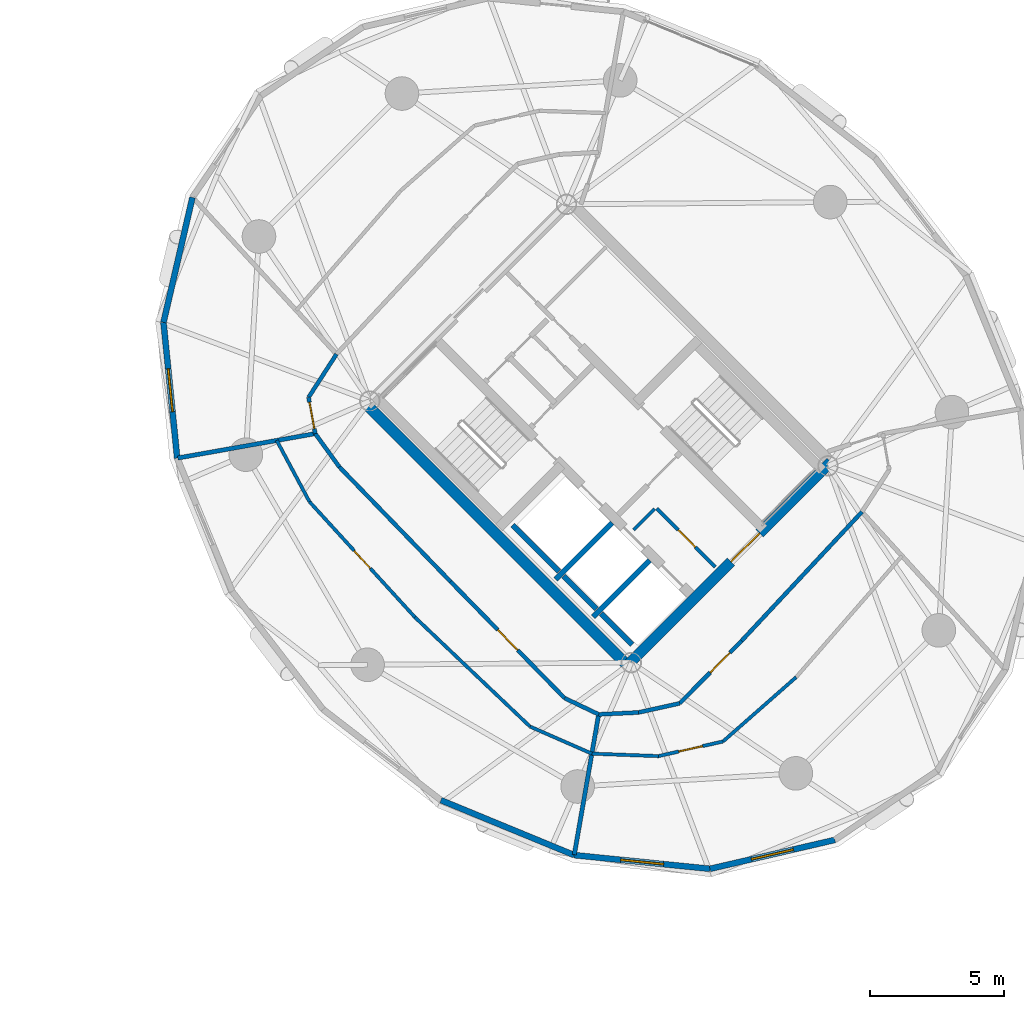
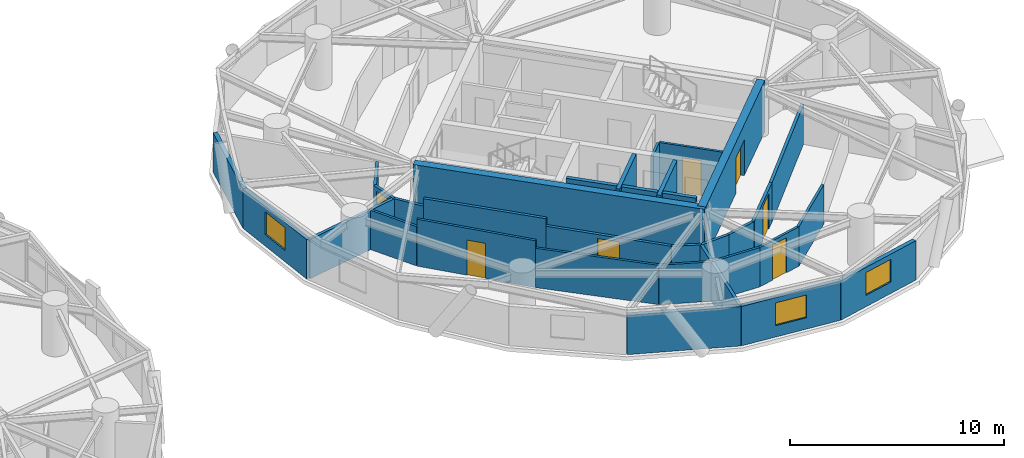
# One storey, part 11 of 17: 33 walls, 7 doors, 3 windows, 10 openings.
"""IFC4 building model written with IfcOpenShell, lengths in metres."""

from ifc_helpers import new_model, si_unit, direction, frame, frame_2d, origin, place, context, subcontext, project, spatial, rectangle, extrude, source, transform, mapped, material, layer, layer_set, type_object, element, fill, save


model = new_model("IFC4")

# Units and contexts
model_context = context("Model", 3, precision=1e-05, world=origin(), true_north=direction((0.0, 1.0)))
body_context = subcontext(model_context, "Body", "Model", "MODEL_VIEW")
ifc_project = project(units=[si_unit("LENGTHUNIT", "METRE"), si_unit("AREAUNIT", "SQUARE_METRE"), si_unit("VOLUMEUNIT", "CUBIC_METRE"), si_unit("PLANEANGLEUNIT", "RADIAN"), si_unit("MASSUNIT", "GRAM", prefix="KILO")], contexts=[model_context])

# Site, building, storey
site_placement = place(None, origin())
site = spatial("IfcSite", under=ifc_project, at=site_placement, CompositionType="ELEMENT")
building_placement = place(site_placement, origin())
building = spatial("IfcBuilding", under=site, at=building_placement, Name="Cununo Teusaquillo Station Towers", CompositionType="ELEMENT")
storey_placement = place(building_placement, frame((0.0, 0.0, 163.239990234375)))
storey = spatial("IfcBuildingStorey", under=building, at=storey_placement, Name="L51", CompositionType="ELEMENT", Elevation=163.239990234375)

# Walls
ifc_material_1 = material(Name="Concrete C50/60", Category="concrete")
ifc_layer_1 = layer(ifc_material_1, 0.199951171875)
ifc_layer_set_1 = layer_set([ifc_layer_1], Name="Concrete C50/60")
wall_type_1 = type_object("IfcWallType", Name="WL-CORE-200", PredefinedType="SHEAR", material=ifc_layer_set_1)
wall_1_placement = place(storey_placement, frame((55.8876953125, 19.0693359375, 0.0), z_axis=(0.0, 0.0, 1.0), x_axis=(0.707106781187, 0.707106781187, 0.0)))
element("IfcWall", 1, at=wall_1_placement, inside=storey, type_object=wall_type_1, Name="L51 Tower B Firefighting Lift Shaft South Shear Wall", PredefinedType="SHEAR", context=body_context, shape_type="SweptSolid", body=[
    extrude(rectangle(XDim=2.969970703125, YDim=0.199951171875, at=frame_2d((1.48486328125, 0.0))), origin(), (0.0, 0.0, 1.0), 2.909912109375),
])
wall_2_placement = place(storey_placement, frame((56.01513671875, 19.366455078125, 0.0), z_axis=(0.0, 0.0, 1.0), x_axis=(-0.707106781187, 0.707106781187, 0.0)))
element("IfcWall", 2, at=wall_2_placement, inside=storey, type_object=wall_type_1, Name="L51 Tower B Firefighting Lift Shaft Rear Shear Wall", PredefinedType="SHEAR", context=body_context, shape_type="SweptSolid", body=[
    extrude(rectangle(XDim=2.43994140625, YDim=0.199951171875, at=frame_2d((1.219970703125, 0.0))), origin(), (0.0, 0.0, 1.0), 2.909912109375),
])
wall_3_placement = place(storey_placement, frame((57.2841796875, 17.6728515625, 0.0), z_axis=(0.0, 0.0, 1.0), x_axis=(0.707147878904, 0.70706568108, 0.0)))
element("IfcWall", 3, at=wall_3_placement, inside=storey, type_object=wall_type_1, Name="L51 Tower B High-Rise Lift Hoistway Divider Shear Wall", PredefinedType="SHEAR", context=body_context, shape_type="SweptSolid", body=[
    extrude(rectangle(XDim=2.97021484375, YDim=0.199951171875, at=frame_2d((1.485107421875, 0.0))), origin(), (0.0, 0.0, 1.0), 2.909912109375),
])
wall_4_placement = place(storey_placement, frame((57.41162109375, 17.969970703125, 0.0), z_axis=(0.0, 0.0, 1.0), x_axis=(-0.707106781187, 0.707106781187, 0.0)))
element("IfcWall", 4, at=wall_4_placement, inside=storey, type_object=wall_type_1, Name="L51 Tower B High-Rise Lift 2 Shaft Rear Shear Wall", PredefinedType="SHEAR", context=body_context, shape_type="SweptSolid", body=[
    extrude(rectangle(XDim=1.73486328125, YDim=0.199951171875, at=frame_2d((0.867431640625, 0.0))), origin(), (0.0, 0.0, 1.0), 2.909912109375),
])
wall_5_placement = place(storey_placement, frame((58.7373046875, 16.64404296875, 0.0), z_axis=(0.0, 0.0, 1.0), x_axis=(-0.707032117043, 0.707181437447, 0.0)))
element("IfcWall", 5, at=wall_5_placement, inside=storey, type_object=wall_type_1, Name="L51 Tower B High-Rise Lift 1 Shaft Rear Shear Wall", PredefinedType="SHEAR", context=body_context, shape_type="SweptSolid", body=[
    extrude(rectangle(XDim=1.635009765625, YDim=0.199951171875, at=frame_2d((0.8173828125, 0.0))), origin(), (0.0, 0.0, 1.0), 2.909912109375),
])
ifc_material_2 = material(Name="Concrete C50/60", Category="concrete")
ifc_layer_2 = layer(ifc_material_2, 0.39990234375)
ifc_layer_set_2 = layer_set([ifc_layer_2], Name="Concrete C50/60")
wall_type_2 = type_object("IfcWallType", Name="WL-CORE-400", PredefinedType="SHEAR", material=ifc_layer_set_2)
wall_6_placement = place(storey_placement, frame((58.7021484375, 15.73193359375, 0.0), z_axis=(0.0, 0.0, 1.0), x_axis=(-0.707106781187, 0.707106781187, 0.0)))
element("IfcWall", 6, at=wall_6_placement, inside=storey, type_object=wall_type_2, Name="L51 Tower B Core Shear Wall W", PredefinedType="SHEAR", context=body_context, shape_type="SweptSolid", body=[
    extrude(rectangle(XDim=14.10009765625, YDim=0.39990234375, at=frame_2d((7.050048828125, 0.0))), origin(), (0.0, 0.0, 1.0), 2.909912109375),
])

# Wall, opening, door
wall_7_placement = place(storey_placement, frame((58.560791015625, 15.873291015625, 0.0), z_axis=(0.0, 0.0, 1.0), x_axis=(0.707106781187, 0.707106781187, 0.0)))
wall_7 = element("IfcWall", 7, at=wall_7_placement, inside=storey, type_object=wall_type_2, Name="L51 Tower B Core Shear Wall S", PredefinedType="SHEAR", context=body_context, shape_type="SweptSolid", body=[
    extrude(rectangle(XDim=10.69970703125, YDim=0.39990234375, at=frame_2d((5.349853515625, 0.0))), origin(), (0.0, 0.0, 1.0), 2.909912109375),
])
shared_shape_1 = source(origin(), body_context, "Body", "SweptSolid", [
    extrude(rectangle(XDim=1.5, YDim=2.02001953125, at=frame_2d((0.75, 1.010009765625))), frame((0.0, 0.2099609375, 0.0), z_axis=(0.0, -1.0, 0.0), x_axis=(1.0, 0.0, 0.0)), (0.0, 0.0, 1.0), 0.419921875),
])
opening_1_placement = place(wall_7_placement, frame((5.449951171875, 0.0, 0.0)))
opening_1 = element("IfcOpeningElement", 8, at=opening_1_placement, cuts=wall_7, Name="Opening D-LB1", PredefinedType="OPENING", context=body_context, shape_type="MappedRepresentation", body=[
    mapped(shared_shape_1, transform((0.0, 0.0, 0.0), x_axis=(1.0, 0.0, 0.0), y_axis=(0.0, 1.0, 0.0), z_axis=(0.0, 0.0, 1.0), scale=1.0)),
])
ifc_material_3 = material(Name="Galvanised fire-rated hollow steel door assembly", Category="steel")
door_type_1 = type_object("IfcDoorType", Name="DR-LOBBY-1500", OperationType="DOUBLE_DOOR_SINGLE_SWING", PredefinedType="DOOR", material=ifc_material_3)
shared_shape_2 = source(origin(), body_context, "Body", "SweptSolid", [
    extrude(rectangle(XDim=1.5, YDim=2.02001953125, at=frame_2d((0.75, 1.010009765625))), frame((0.0, 0.02490234375, 0.0), z_axis=(0.0, -1.0, 0.0), x_axis=(1.0, 0.0, 0.0)), (0.0, 0.0, 1.0), 0.050048828125),
])
door_1_placement = place(opening_1_placement, origin())
door_1 = element("IfcDoor", 9, at=door_1_placement, inside=storey, type_object=door_type_1, Name="L51 Tower B South Core Lift Lobby Door", OperationType="DOUBLE_DOOR_SINGLE_SWING", OverallHeight=2.02001953125, OverallWidth=1.5, PredefinedType="DOOR", context=body_context, shape_type="MappedRepresentation", body=[
    mapped(shared_shape_2, transform((0.0, 0.0, 0.0), x_axis=(1.0, 0.0, 0.0), y_axis=(0.0, 1.0, 0.0), z_axis=(0.0, 0.0, 1.0), scale=1.0)),
])
fill(opening_1, door_1)

# Wall
ifc_material_4 = material(Name="Precast concrete C40/50", Category="concrete")
ifc_layer_3 = layer(ifc_material_4, 0.219970703125)
ifc_layer_set_3 = layer_set([ifc_layer_3], Name="Precast concrete C40/50")
wall_type_3 = type_object("IfcWallType", Name="WL-EXT-220", PredefinedType="SOLIDWALL", material=ifc_layer_set_3)
wall_8_placement = place(storey_placement, frame((41.3017578125, 28.6328125, 0.0), z_axis=(0.0, 0.0, 1.0), x_axis=(0.225659540039, 0.974206226622, 0.0)))
element("IfcWall", 10, at=wall_8_placement, inside=storey, type_object=wall_type_3, Name="L51 Tower B Exterior Facade Wall C06", PredefinedType="SOLIDWALL", context=body_context, shape_type="SweptSolid", body=[
    extrude(rectangle(XDim=4.76904296875, YDim=0.219970703125, at=frame_2d((2.384521484375, 0.0))), origin(), (0.0, 0.0, 1.0), 2.2451171875),
])

# Wall, opening, window
wall_9_placement = place(storey_placement, frame((41.810791015625, 23.582275390625, 0.0), z_axis=(0.0, 0.0, 1.0), x_axis=(-0.100279889424, 0.994959267396, 0.0)))
wall_9 = element("IfcWall", 11, at=wall_9_placement, inside=storey, type_object=wall_type_3, Name="L51 Tower B Exterior Facade Wall C07", PredefinedType="SOLIDWALL", context=body_context, shape_type="SweptSolid", body=[
    extrude(rectangle(XDim=5.076171875, YDim=0.219970703125, at=frame_2d((2.5380859375, 0.0))), origin(), (0.0, 0.0, 1.0), 2.2451171875),
])
shared_shape_3 = source(origin(), body_context, "Body", "SweptSolid", [
    extrude(rectangle(XDim=1.60009765625, YDim=1.300048828125, at=frame_2d((0.800048828125, 0.64990234375))), frame((0.0, 0.119873046875, 0.0), z_axis=(0.0, -1.0, 0.0), x_axis=(1.0, 0.0, 0.0)), (0.0, 0.0, 1.0), 0.239990234375),
])
opening_2_placement = place(wall_9_placement, frame((1.738037109375, 0.0, 0.64990234375)))
opening_2 = element("IfcOpeningElement", 12, at=opening_2_placement, cuts=wall_9, Name="Opening WN-03", PredefinedType="OPENING", context=body_context, shape_type="MappedRepresentation", body=[
    mapped(shared_shape_3, transform((0.0, 0.0, 0.0), x_axis=(1.0, 0.0, 0.0), y_axis=(0.0, 1.0, 0.0), z_axis=(0.0, 0.0, 1.0), scale=1.0)),
])
ifc_material_5 = material(Name="Ceramic-fritted dark low-E double glazing", Category="glass")
window_type = type_object("IfcWindowType", Name="WIN-CORN-1600", PartitioningType="SINGLE_PANEL", PredefinedType="WINDOW", material=ifc_material_5)
shared_shape_4 = source(origin(), body_context, "Body", "SweptSolid", [
    extrude(rectangle(XDim=1.60009765625, YDim=1.300048828125, at=frame_2d((0.800048828125, 0.64990234375))), frame((0.0, 0.030029296875, 0.0), z_axis=(0.0, -1.0, 0.0), x_axis=(1.0, 0.0, 0.0)), (0.0, 0.0, 1.0), 0.06005859375),
])
window_1_placement = place(opening_2_placement, origin())
window_1 = element("IfcWindow", 13, at=window_1_placement, inside=storey, type_object=window_type, Name="L51 Tower B Facade Window C07", OverallHeight=1.300048828125, OverallWidth=1.60009765625, PartitioningType="SINGLE_PANEL", PredefinedType="WINDOW", context=body_context, shape_type="MappedRepresentation", body=[
    mapped(shared_shape_4, transform((0.0, 0.0, 0.0), x_axis=(1.0, 0.0, 0.0), y_axis=(0.0, 1.0, 0.0), z_axis=(0.0, 0.0, 1.0), scale=1.0)),
])
fill(opening_2, window_1)

# Wall
wall_10_placement = place(storey_placement, frame((56.582275390625, 8.810791015625, 0.0), z_axis=(0.0, 0.0, 1.0), x_axis=(-0.924528197738, 0.38111364655, 0.0)))
element("IfcWall", 14, at=wall_10_placement, inside=storey, type_object=wall_type_3, Name="L51 Tower B Exterior Facade Wall C11", PredefinedType="SOLIDWALL", context=body_context, shape_type="SweptSolid", body=[
    extrude(rectangle(XDim=5.36572265625, YDim=0.219970703125, at=frame_2d((2.682861328125, 0.0))), origin(), (0.0, 0.0, 1.0), 2.2451171875),
])

# Wall, opening, window
wall_11_placement = place(storey_placement, frame((61.6328125, 8.3017578125, 0.0), z_axis=(0.0, 0.0, 1.0), x_axis=(-0.994959267396, 0.100279889424, 0.0)))
wall_11 = element("IfcWall", 15, at=wall_11_placement, inside=storey, type_object=wall_type_3, Name="L51 Tower B Exterior Facade Wall C12", PredefinedType="SOLIDWALL", context=body_context, shape_type="SweptSolid", body=[
    extrude(rectangle(XDim=5.076171875, YDim=0.219970703125, at=frame_2d((2.5380859375, 0.0))), origin(), (0.0, 0.0, 1.0), 2.2451171875),
])
opening_3_placement = place(wall_11_placement, frame((1.738037109375, 0.0, 0.64990234375)))
opening_3 = element("IfcOpeningElement", 16, at=opening_3_placement, cuts=wall_11, Name="Opening WN-03", PredefinedType="OPENING", context=body_context, shape_type="MappedRepresentation", body=[
    mapped(shared_shape_3, transform((0.0, 0.0, 0.0), x_axis=(1.0, 0.0, 0.0), y_axis=(0.0, 1.0, 0.0), z_axis=(0.0, 0.0, 1.0), scale=1.0)),
])
window_2_placement = place(opening_3_placement, origin())
window_2 = element("IfcWindow", 17, at=window_2_placement, inside=storey, type_object=window_type, Name="L51 Tower B Facade Window C12", OverallHeight=1.300048828125, OverallWidth=1.60009765625, PartitioningType="SINGLE_PANEL", PredefinedType="WINDOW", context=body_context, shape_type="MappedRepresentation", body=[
    mapped(shared_shape_4, transform((0.0, 0.0, 0.0), x_axis=(1.0, 0.0, 0.0), y_axis=(0.0, 1.0, 0.0), z_axis=(0.0, 0.0, 1.0), scale=1.0)),
])
fill(opening_3, window_2)

wall_12_placement = place(storey_placement, frame((66.27880859375, 9.3779296875, 0.0), z_axis=(0.0, 0.0, 1.0), x_axis=(-0.974206226622, -0.225659540039, 0.0)))
wall_12 = element("IfcWall", 18, at=wall_12_placement, inside=storey, type_object=wall_type_3, Name="L51 Tower B Exterior Facade Wall C13", PredefinedType="SOLIDWALL", context=body_context, shape_type="SweptSolid", body=[
    extrude(rectangle(XDim=4.76904296875, YDim=0.219970703125, at=frame_2d((2.384521484375, 0.0))), origin(), (0.0, 0.0, 1.0), 2.2451171875),
])
opening_4_placement = place(wall_12_placement, frame((1.5849609375, 0.0, 0.64990234375)))
opening_4 = element("IfcOpeningElement", 19, at=opening_4_placement, cuts=wall_12, Name="Opening WN-03", PredefinedType="OPENING", context=body_context, shape_type="MappedRepresentation", body=[
    mapped(shared_shape_3, transform((0.0, 0.0, 0.0), x_axis=(1.0, 0.0, 0.0), y_axis=(0.0, 1.0, 0.0), z_axis=(0.0, 0.0, 1.0), scale=1.0)),
])
window_3_placement = place(opening_4_placement, origin())
window_3 = element("IfcWindow", 20, at=window_3_placement, inside=storey, type_object=window_type, Name="L51 Tower B Facade Window C13", OverallHeight=1.300048828125, OverallWidth=1.60009765625, PartitioningType="SINGLE_PANEL", PredefinedType="WINDOW", context=body_context, shape_type="MappedRepresentation", body=[
    mapped(shared_shape_4, transform((0.0, 0.0, 0.0), x_axis=(1.0, 0.0, 0.0), y_axis=(0.0, 1.0, 0.0), z_axis=(0.0, 0.0, 1.0), scale=1.0)),
])
fill(opening_4, window_3)

# Wall, opening, door
ifc_material_6 = material(Name="Fire-rated gypsum plasterboard partition assembly", Category="gypsum")
ifc_layer_4 = layer(ifc_material_6, 0.125)
ifc_layer_set_4 = layer_set([ifc_layer_4], Name="Fire-rated gypsum plasterboard partition assembly")
wall_type_4 = type_object("IfcWallType", Name="WL-PART-125", PredefinedType="PARTITIONING", material=ifc_layer_set_4)
wall_13_placement = place(storey_placement, frame((61.834716796875, 19.529052734375, 0.0), z_axis=(0.0, 0.0, 1.0), x_axis=(-0.707146413884, 0.707067146267, 0.0)))
wall_13 = element("IfcWall", 21, at=wall_13_placement, inside=storey, type_object=wall_type_4, Name="L51 Tower B South-West Tall Store East Wall", PredefinedType="PARTITIONING", context=body_context, shape_type="SweptSolid", body=[
    extrude(rectangle(XDim=3.079833984375, YDim=0.125, at=frame_2d((1.5400390625, 0.0))), origin(), (0.0, 0.0, 1.0), 2.675048828125),
])
shared_shape_5 = source(origin(), body_context, "Body", "SweptSolid", [
    extrude(rectangle(XDim=0.89990234375, YDim=2.0048828125, at=frame_2d((0.449951171875, 1.00244140625))), frame((0.0, 0.072509765625, 0.0), z_axis=(0.0, -1.0, 0.0), x_axis=(1.0, 0.0, 0.0)), (0.0, 0.0, 1.0), 0.14501953125),
])
opening_5_placement = place(wall_13_placement, frame((1.050048828125, 0.0, 0.0)))
opening_5 = element("IfcOpeningElement", 22, at=opening_5_placement, cuts=wall_13, Name="Opening D-SR1", PredefinedType="OPENING", context=body_context, shape_type="MappedRepresentation", body=[
    mapped(shared_shape_5, transform((0.0, 0.0, 0.0), x_axis=(1.0, 0.0, 0.0), y_axis=(0.0, 1.0, 0.0), z_axis=(0.0, 0.0, 1.0), scale=1.0)),
])
ifc_material_7 = material(Name="Galvanised fire-rated hollow steel door assembly", Category="steel")
door_type_2 = type_object("IfcDoorType", Name="DR-STORE-900", OperationType="NOTDEFINED", PredefinedType="DOOR", material=ifc_material_7)
shared_shape_6 = source(origin(), body_context, "Body", "SweptSolid", [
    extrude(rectangle(XDim=0.89990234375, YDim=2.0048828125, at=frame_2d((0.449951171875, 1.00244140625))), frame((0.0, 0.02490234375, 0.0), z_axis=(0.0, -1.0, 0.0), x_axis=(1.0, 0.0, 0.0)), (0.0, 0.0, 1.0), 0.050048828125),
])
door_2_placement = place(opening_5_placement, origin())
door_2 = element("IfcDoor", 23, at=door_2_placement, inside=storey, type_object=door_type_2, Name="L51 Tower B South Cleaners Store Door", OperationType="SINGLE_SWING_LEFT", OverallHeight=2.0048828125, OverallWidth=0.89990234375, PredefinedType="DOOR", context=body_context, shape_type="MappedRepresentation", body=[
    mapped(shared_shape_6, transform((0.0, 0.0, 0.0), x_axis=(1.0, 0.0, 0.0), y_axis=(0.0, 1.0, 0.0), z_axis=(0.0, 0.0, 1.0), scale=1.0)),
])
fill(opening_5, door_2)

# Walls
wall_14_placement = place(storey_placement, frame((58.7939453125, 20.9150390625, 0.0), z_axis=(0.0, 0.0, 1.0), x_axis=(0.707106781187, 0.707106781187, 0.0)))
element("IfcWall", 24, at=wall_14_placement, inside=storey, type_object=wall_type_4, Name="L51 Tower B South-West Tall Store North Wall", PredefinedType="PARTITIONING", context=body_context, shape_type="SweptSolid", body=[
    extrude(rectangle(XDim=1.10009765625, YDim=0.125, at=frame_2d((0.550048828125, 0.0))), origin(), (0.0, 0.0, 1.0), 2.675048828125),
])
wall_15_placement = place(storey_placement, frame((45.513916015625, 24.2392578125, 0.0), z_axis=(0.0, 0.0, 1.0), x_axis=(0.471225296528, -0.882012879674, 0.0)))
element("IfcWall", 25, at=wall_15_placement, inside=storey, type_object=wall_type_4, Name="L51 Tower B Sabana Wellness & Spa Lounge Concentric Partition Wall C08", PredefinedType="PARTITIONING", context=body_context, shape_type="SweptSolid", body=[
    extrude(rectangle(XDim=2.585205078125, YDim=0.125, at=frame_2d((1.29248046875, 0.0))), origin(), (0.0, 0.0, 1.0), 2.2451171875),
])

# Wall, opening, door
wall_16_placement = place(storey_placement, frame((46.732177734375, 21.958984375, 0.0), z_axis=(0.0, 0.0, 1.0), x_axis=(0.674328014222, -0.738431939474, 0.0)))
wall_16 = element("IfcWall", 26, at=wall_16_placement, inside=storey, type_object=wall_type_4, Name="L51 Tower B Sabana Wellness & Spa Lounge Concentric Partition Wall C09", PredefinedType="PARTITIONING", context=body_context, shape_type="SweptSolid", body=[
    extrude(rectangle(XDim=5.8232421875, YDim=0.125, at=frame_2d((2.91162109375, 0.0))), origin(), (0.0, 0.0, 1.0), 2.675048828125),
])
opening_6_placement = place(wall_16_placement, frame((2.461669921875, 0.0, 0.0)))
opening_6 = element("IfcOpeningElement", 27, at=opening_6_placement, cuts=wall_16, Name="Opening D-IN1", PredefinedType="OPENING", context=body_context, shape_type="MappedRepresentation", body=[
    mapped(shared_shape_5, transform((0.0, 0.0, 0.0), x_axis=(1.0, 0.0, 0.0), y_axis=(0.0, 1.0, 0.0), z_axis=(0.0, 0.0, 1.0), scale=1.0)),
])
ifc_material_8 = material(Name="Acoustic solid-core hardwood leaf assembly", Category="wood")
door_type_3 = type_object("IfcDoorType", Name="DR-INT-900", OperationType="NOTDEFINED", PredefinedType="DOOR", material=ifc_material_8)
door_3_placement = place(opening_6_placement, origin())
door_3 = element("IfcDoor", 28, at=door_3_placement, inside=storey, type_object=door_type_3, Name="L51 Tower B Sabana Wellness & Spa Lounge Connecting Door", OperationType="SINGLE_SWING_RIGHT", OverallHeight=2.0048828125, OverallWidth=0.89990234375, PredefinedType="DOOR", context=body_context, shape_type="MappedRepresentation", body=[
    mapped(shared_shape_6, transform((0.0, 0.0, 0.0), x_axis=(1.0, 0.0, 0.0), y_axis=(0.0, 1.0, 0.0), z_axis=(0.0, 0.0, 1.0), scale=1.0)),
])
fill(opening_6, door_3)

# Walls
wall_17_placement = place(storey_placement, frame((50.658935546875, 17.658935546875, 0.0), z_axis=(0.0, 0.0, 1.0), x_axis=(0.72516873678, -0.688571204159, 0.0)))
element("IfcWall", 29, at=wall_17_placement, inside=storey, type_object=wall_type_4, Name="L51 Tower B Sabana Wellness & Spa Lounge Concentric Partition Wall C10", PredefinedType="PARTITIONING", context=body_context, shape_type="SweptSolid", body=[
    extrude(rectangle(XDim=5.90380859375, YDim=0.125, at=frame_2d((2.951904296875, 0.0))), origin(), (0.0, 0.0, 1.0), 2.2451171875),
])
wall_18_placement = place(storey_placement, frame((54.940185546875, 13.59375, 0.0), z_axis=(0.0, 0.0, 1.0), x_axis=(0.915898070967, -0.401410916143, 0.0)))
element("IfcWall", 30, at=wall_18_placement, inside=storey, type_object=wall_type_4, Name="L51 Tower B Sabana Wellness & Spa Lounge Concentric Partition Wall C11", PredefinedType="PARTITIONING", context=body_context, shape_type="SweptSolid", body=[
    extrude(rectangle(XDim=2.5087890625, YDim=0.125, at=frame_2d((1.25439453125, 0.0))), origin(), (0.0, 0.0, 1.0), 2.2451171875),
])
wall_19_placement = place(storey_placement, frame((57.238037109375, 12.586669921875, 0.0), z_axis=(0.0, 0.0, 1.0), x_axis=(0.999316318576, -0.036971548882, 0.0)))
element("IfcWall", 31, at=wall_19_placement, inside=storey, type_object=wall_type_4, Name="L51 Tower B Cordillera Executive Conference Salon Concentric Partition Wall C12", PredefinedType="PARTITIONING", context=body_context, shape_type="SweptSolid", body=[
    extrude(rectangle(XDim=2.476318359375, YDim=0.125, at=frame_2d((1.23828125, 0.0))), origin(), (0.0, 0.0, 1.0), 2.2451171875),
])

# Wall, opening, door
wall_20_placement = place(storey_placement, frame((59.712646484375, 12.4951171875, 0.0), z_axis=(0.0, 0.0, 1.0), x_axis=(0.975260144608, 0.221060286662, 0.0)))
wall_20 = element("IfcWall", 32, at=wall_20_placement, inside=storey, type_object=wall_type_4, Name="L51 Tower B Cordillera Executive Conference Salon Concentric Partition Wall C13", PredefinedType="PARTITIONING", context=body_context, shape_type="SweptSolid", body=[
    extrude(rectangle(XDim=2.465087890625, YDim=0.125, at=frame_2d((1.232421875, 0.0))), origin(), (0.0, 0.0, 1.0), 2.2451171875),
])
opening_7_placement = place(wall_20_placement, frame((0.782470703125, 0.0, 0.0)))
opening_7 = element("IfcOpeningElement", 33, at=opening_7_placement, cuts=wall_20, Name="Opening D-IN1", PredefinedType="OPENING", context=body_context, shape_type="MappedRepresentation", body=[
    mapped(shared_shape_5, transform((0.0, 0.0, 0.0), x_axis=(1.0, 0.0, 0.0), y_axis=(0.0, 1.0, 0.0), z_axis=(0.0, 0.0, 1.0), scale=1.0)),
])
door_4_placement = place(opening_7_placement, origin())
door_4 = element("IfcDoor", 34, at=door_4_placement, inside=storey, type_object=door_type_3, Name="L51 Tower B Cordillera Executive Conference Salon Connecting Door", OperationType="SINGLE_SWING_RIGHT", OverallHeight=2.0048828125, OverallWidth=0.89990234375, PredefinedType="DOOR", context=body_context, shape_type="MappedRepresentation", body=[
    mapped(shared_shape_6, transform((0.0, 0.0, 0.0), x_axis=(1.0, 0.0, 0.0), y_axis=(0.0, 1.0, 0.0), z_axis=(0.0, 0.0, 1.0), scale=1.0)),
])
fill(opening_7, door_4)

# Walls
wall_21_placement = place(storey_placement, frame((62.11669921875, 13.0400390625, 0.0), z_axis=(0.0, 0.0, 1.0), x_axis=(0.751084924077, 0.660205601933, 0.0)))
element("IfcWall", 35, at=wall_21_placement, inside=storey, type_object=wall_type_4, Name="L51 Tower B Cordillera Executive Conference Salon Concentric Partition Wall C14", PredefinedType="PARTITIONING", context=body_context, shape_type="SweptSolid", body=[
    extrude(rectangle(XDim=3.6240234375, YDim=0.125, at=frame_2d((1.81201171875, 0.0))), origin(), (0.0, 0.0, 1.0), 2.2451171875),
])
ifc_material_9 = material(Name="Fire-rated gypsum plasterboard partition assembly", Category="gypsum")
ifc_layer_5 = layer(ifc_material_9, 0.14990234375)
ifc_layer_set_5 = layer_set([ifc_layer_5], Name="Fire-rated gypsum plasterboard partition assembly")
wall_type_5 = type_object("IfcWallType", Name="WL-PART-150", PredefinedType="PARTITIONING", material=ifc_layer_set_5)
wall_22_placement = place(storey_placement, frame((47.736083984375, 27.448974609375, 0.0), z_axis=(0.0, 0.0, 1.0), x_axis=(-0.542589259408, -0.839998152126, 0.0)))
element("IfcWall", 36, at=wall_22_placement, inside=storey, type_object=wall_type_5, Name="L51 Tower B Corridor Ring Wall C06", PredefinedType="PARTITIONING", context=body_context, shape_type="SweptSolid", body=[
    extrude(rectangle(XDim=1.911865234375, YDim=0.14990234375, at=frame_2d((0.9560546875, 0.0))), origin(), (0.0, 0.0, 1.0), 2.2451171875),
])

# Wall, opening, door
wall_23_placement = place(storey_placement, frame((46.69873046875, 25.843017578125, 0.0), z_axis=(0.0, 0.0, 1.0), x_axis=(0.180451258011, -0.983583928032, 0.0)))
wall_23 = element("IfcWall", 37, at=wall_23_placement, inside=storey, type_object=wall_type_5, Name="L51 Tower B Corridor Ring Wall C07", PredefinedType="PARTITIONING", context=body_context, shape_type="SweptSolid", body=[
    extrude(rectangle(XDim=1.371826171875, YDim=0.14990234375, at=frame_2d((0.68603515625, 0.0))), origin(), (0.0, 0.0, 1.0), 2.2451171875),
])
shared_shape_7 = source(origin(), body_context, "Body", "SweptSolid", [
    extrude(rectangle(XDim=1.0, YDim=2.014892578125, at=frame_2d((0.5, 1.00732421875))), frame((0.0, 0.0849609375, 0.0), z_axis=(0.0, -1.0, 0.0), x_axis=(1.0, 0.0, 0.0)), (0.0, 0.0, 1.0), 0.169921875),
])
opening_8_placement = place(wall_23_placement, frame((0.18603515625, 0.0, 0.0)))
opening_8 = element("IfcOpeningElement", 38, at=opening_8_placement, cuts=wall_23, Name="Opening D-AC1", PredefinedType="OPENING", context=body_context, shape_type="MappedRepresentation", body=[
    mapped(shared_shape_7, transform((0.0, 0.0, 0.0), x_axis=(1.0, 0.0, 0.0), y_axis=(0.0, 1.0, 0.0), z_axis=(0.0, 0.0, 1.0), scale=1.0)),
])
ifc_material_10 = material(Name="Acoustic solid-core hardwood leaf assembly", Category="wood")
door_type_4 = type_object("IfcDoorType", Name="DR-ACC-1000", OperationType="NOTDEFINED", PredefinedType="DOOR", material=ifc_material_10)
shared_shape_8 = source(origin(), body_context, "Body", "SweptSolid", [
    extrude(rectangle(XDim=1.0, YDim=2.014892578125, at=frame_2d((0.5, 1.00732421875))), frame((0.0, 0.02490234375, 0.0), z_axis=(0.0, -1.0, 0.0), x_axis=(1.0, 0.0, 0.0)), (0.0, 0.0, 1.0), 0.050048828125),
])
door_5_placement = place(opening_8_placement, origin())
door_5 = element("IfcDoor", 39, at=door_5_placement, inside=storey, type_object=door_type_4, Name="L51 Tower B Public Accessible Restroom WC Entrance Door", OperationType="SINGLE_SWING_RIGHT", OverallHeight=2.014892578125, OverallWidth=1.0, PredefinedType="DOOR", context=body_context, shape_type="MappedRepresentation", body=[
    mapped(shared_shape_8, transform((0.0, 0.0, 0.0), x_axis=(1.0, 0.0, 0.0), y_axis=(0.0, 1.0, 0.0), z_axis=(0.0, 0.0, 1.0), scale=1.0)),
])
fill(opening_8, door_5)

# Walls
wall_24_placement = place(storey_placement, frame((46.9462890625, 24.49365234375, 0.0), z_axis=(0.0, 0.0, 1.0), x_axis=(0.586340262528, -0.810064871809, 0.0)))
element("IfcWall", 40, at=wall_24_placement, inside=storey, type_object=wall_type_5, Name="L51 Tower B Corridor Ring Wall C08", PredefinedType="PARTITIONING", context=body_context, shape_type="SweptSolid", body=[
    extrude(rectangle(XDim=1.531005859375, YDim=0.14990234375, at=frame_2d((0.765625, 0.0))), origin(), (0.0, 0.0, 1.0), 2.2451171875),
])
wall_25_placement = place(storey_placement, frame((47.843994140625, 23.25341796875, 0.0), z_axis=(0.0, 0.0, 1.0), x_axis=(0.696248411352, -0.717800912293, 0.0)))
element("IfcWall", 41, at=wall_25_placement, inside=storey, type_object=wall_type_5, Name="L51 Tower B Corridor Ring Wall C09", PredefinedType="PARTITIONING", context=body_context, shape_type="SweptSolid", body=[
    extrude(rectangle(XDim=5.947021484375, YDim=0.14990234375, at=frame_2d((2.9736328125, 0.0))), origin(), (0.0, 0.0, 1.0), 2.675048828125),
])

# Wall, opening, door
wall_26_placement = place(storey_placement, frame((51.984619140625, 18.984619140625, 0.0), z_axis=(0.0, 0.0, 1.0), x_axis=(0.699619654291, -0.714515457726, 0.0)))
wall_26 = element("IfcWall", 42, at=wall_26_placement, inside=storey, type_object=wall_type_5, Name="L51 Tower B Corridor Ring Wall C10", PredefinedType="PARTITIONING", context=body_context, shape_type="SweptSolid", body=[
    extrude(rectangle(XDim=6.064208984375, YDim=0.14990234375, at=frame_2d((3.0322265625, 0.0))), origin(), (0.0, 0.0, 1.0), 2.2451171875),
])
shared_shape_9 = source(origin(), body_context, "Body", "SweptSolid", [
    extrude(rectangle(XDim=1.050048828125, YDim=2.014892578125, at=frame_2d((0.52490234375, 1.00732421875))), frame((0.0, 0.0849609375, 0.0), z_axis=(0.0, -1.0, 0.0), x_axis=(1.0, 0.0, 0.0)), (0.0, 0.0, 1.0), 0.169921875),
])
opening_9_placement = place(wall_26_placement, frame((2.507080078125, 0.0, 0.0)))
opening_9 = element("IfcOpeningElement", 43, at=opening_9_placement, cuts=wall_26, Name="Opening D-SU1", PredefinedType="OPENING", context=body_context, shape_type="MappedRepresentation", body=[
    mapped(shared_shape_9, transform((0.0, 0.0, 0.0), x_axis=(1.0, 0.0, 0.0), y_axis=(0.0, 1.0, 0.0), z_axis=(0.0, 0.0, 1.0), scale=1.0)),
])
ifc_material_11 = material(Name="Acoustic solid-core hardwood leaf assembly", Category="wood")
door_type_5 = type_object("IfcDoorType", Name="DR-SUITE-1050", OperationType="NOTDEFINED", PredefinedType="DOOR", material=ifc_material_11)
shared_shape_10 = source(origin(), body_context, "Body", "SweptSolid", [
    extrude(rectangle(XDim=1.050048828125, YDim=2.014892578125, at=frame_2d((0.52490234375, 1.00732421875))), frame((0.0, 0.02490234375, 0.0), z_axis=(0.0, -1.0, 0.0), x_axis=(1.0, 0.0, 0.0)), (0.0, 0.0, 1.0), 0.050048828125),
])
door_6_placement = place(opening_9_placement, origin())
door_6 = element("IfcDoor", 44, at=door_6_placement, inside=storey, type_object=door_type_5, Name="L51 Tower B Sabana Wellness & Spa Lounge Entrance Door", OperationType="SINGLE_SWING_LEFT", OverallHeight=2.014892578125, OverallWidth=1.050048828125, PredefinedType="DOOR", context=body_context, shape_type="MappedRepresentation", body=[
    mapped(shared_shape_10, transform((0.0, 0.0, 0.0), x_axis=(1.0, 0.0, 0.0), y_axis=(0.0, 1.0, 0.0), z_axis=(0.0, 0.0, 1.0), scale=1.0)),
])
fill(opening_9, door_6)

# Walls
wall_27_placement = place(storey_placement, frame((56.227294921875, 14.651611328125, 0.0), z_axis=(0.0, 0.0, 1.0), x_axis=(0.902364039563, -0.430974639745, 0.0)))
element("IfcWall", 45, at=wall_27_placement, inside=storey, type_object=wall_type_5, Name="L51 Tower B Corridor Ring Wall C11", PredefinedType="PARTITIONING", context=body_context, shape_type="SweptSolid", body=[
    extrude(rectangle(XDim=1.4013671875, YDim=0.14990234375, at=frame_2d((0.70068359375, 0.0))), origin(), (0.0, 0.0, 1.0), 2.2451171875),
])
wall_28_placement = place(storey_placement, frame((57.491943359375, 14.047607421875, 0.0), z_axis=(0.0, 0.0, 1.0), x_axis=(0.99885011351, 0.047942160364, 0.0)))
element("IfcWall", 46, at=wall_28_placement, inside=storey, type_object=wall_type_5, Name="L51 Tower B Corridor Ring Wall C12", PredefinedType="PARTITIONING", context=body_context, shape_type="SweptSolid", body=[
    extrude(rectangle(XDim=1.476806640625, YDim=0.14990234375, at=frame_2d((0.73828125, 0.0))), origin(), (0.0, 0.0, 1.0), 2.2451171875),
])
wall_29_placement = place(storey_placement, frame((58.967041015625, 14.118408203125, 0.0), z_axis=(0.0, 0.0, 1.0), x_axis=(0.976471358036, 0.215647135235, 0.0)))
element("IfcWall", 47, at=wall_29_placement, inside=storey, type_object=wall_type_5, Name="L51 Tower B Corridor Ring Wall C13", PredefinedType="PARTITIONING", context=body_context, shape_type="SweptSolid", body=[
    extrude(rectangle(XDim=1.5712890625, YDim=0.14990234375, at=frame_2d((0.78564453125, 0.0))), origin(), (0.0, 0.0, 1.0), 2.2451171875),
])

# Wall, opening, door
wall_30_placement = place(storey_placement, frame((60.50146484375, 14.457275390625, 0.0), z_axis=(0.0, 0.0, 1.0), x_axis=(0.704012266258, 0.710187812454, 0.0)))
wall_30 = element("IfcWall", 48, at=wall_30_placement, inside=storey, type_object=wall_type_5, Name="L51 Tower B Corridor Ring Wall C14", PredefinedType="PARTITIONING", context=body_context, shape_type="SweptSolid", body=[
    extrude(rectangle(XDim=3.28125, YDim=0.14990234375, at=frame_2d((1.640625, 0.0))), origin(), (0.0, 0.0, 1.0), 2.2451171875),
])
opening_10_placement = place(wall_30_placement, frame((1.613525390625, 0.0, 0.0)))
opening_10 = element("IfcOpeningElement", 49, at=opening_10_placement, cuts=wall_30, Name="Opening D-SU1", PredefinedType="OPENING", context=body_context, shape_type="MappedRepresentation", body=[
    mapped(shared_shape_9, transform((0.0, 0.0, 0.0), x_axis=(1.0, 0.0, 0.0), y_axis=(0.0, 1.0, 0.0), z_axis=(0.0, 0.0, 1.0), scale=1.0)),
])
door_7_placement = place(opening_10_placement, origin())
door_7 = element("IfcDoor", 50, at=door_7_placement, inside=storey, type_object=door_type_5, Name="L51 Tower B Cordillera Executive Conference Salon Entrance Door", OperationType="SINGLE_SWING_LEFT", OverallHeight=2.014892578125, OverallWidth=1.050048828125, PredefinedType="DOOR", context=body_context, shape_type="MappedRepresentation", body=[
    mapped(shared_shape_10, transform((0.0, 0.0, 0.0), x_axis=(1.0, 0.0, 0.0), y_axis=(0.0, 1.0, 0.0), z_axis=(0.0, 0.0, 1.0), scale=1.0)),
])
fill(opening_10, door_7)

# Walls
wall_31_placement = place(storey_placement, frame((62.8115234375, 16.78759765625, 0.0), z_axis=(0.0, 0.0, 1.0), x_axis=(0.682323555485, 0.731050316757, 0.0)))
element("IfcWall", 51, at=wall_31_placement, inside=storey, type_object=wall_type_5, Name="L51 Tower B Corridor Ring Wall C15", PredefinedType="PARTITIONING", context=body_context, shape_type="SweptSolid", body=[
    extrude(rectangle(XDim=6.55859375, YDim=0.14990234375, at=frame_2d((3.279296875, 0.0))), origin(), (0.0, 0.0, 1.0), 2.2451171875),
])
ifc_material_12 = material(Name="Fire-rated gypsum plasterboard partition assembly", Category="gypsum")
ifc_layer_6 = layer(ifc_material_12, 0.159912109375)
ifc_layer_set_6 = layer_set([ifc_layer_6], Name="Fire-rated gypsum plasterboard partition assembly")
wall_type_6 = type_object("IfcWallType", Name="WL-PART-160", PredefinedType="PARTITIONING", material=ifc_layer_set_6)
wall_32_placement = place(storey_placement, frame((46.9462890625, 24.49365234375, 0.0), z_axis=(0.0, 0.0, 1.0), x_axis=(-0.984604227647, -0.174798497988, 0.0)))
element("IfcWall", 52, at=wall_32_placement, inside=storey, type_object=wall_type_6, Name="L51 Tower B Radial Suite Partition R03", PredefinedType="PARTITIONING", context=body_context, shape_type="SweptSolid", body=[
    extrude(rectangle(XDim=5.19580078125, YDim=0.159912109375, at=frame_2d((2.597900390625, 0.0))), origin(), (0.0, 0.0, 1.0), 2.2451171875),
])
wall_33_placement = place(storey_placement, frame((57.491943359375, 14.047607421875, 0.0), z_axis=(0.0, 0.0, 1.0), x_axis=(-0.171191349619, -0.985237799628, 0.0)))
element("IfcWall", 53, at=wall_33_placement, inside=storey, type_object=wall_type_6, Name="L51 Tower B Radial Suite Partition R04", PredefinedType="PARTITIONING", context=body_context, shape_type="SweptSolid", body=[
    extrude(rectangle(XDim=5.295166015625, YDim=0.159912109375, at=frame_2d((2.6474609375, 0.0))), origin(), (0.0, 0.0, 1.0), 2.2451171875),
])

save(model, "model.ifc")
